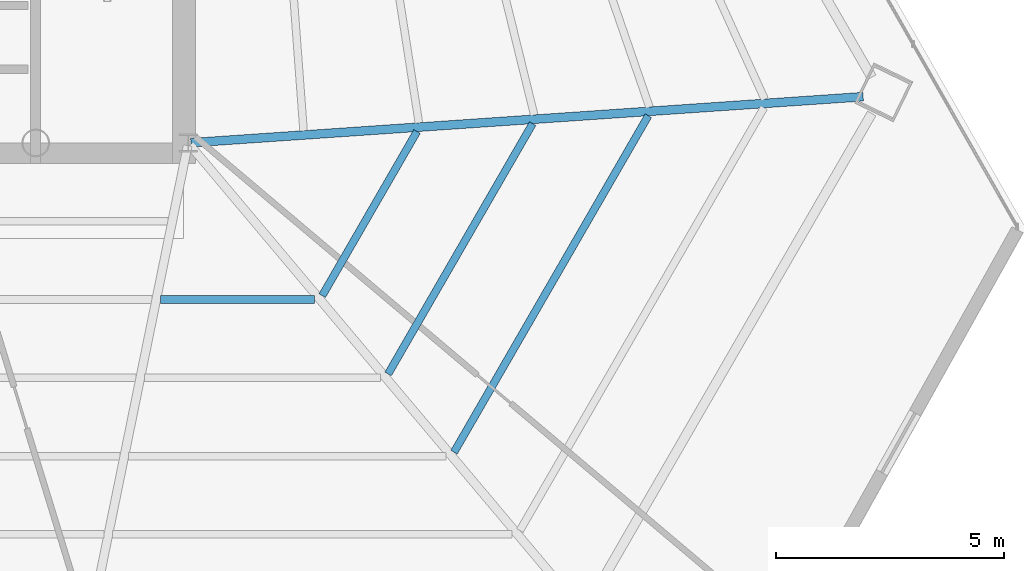
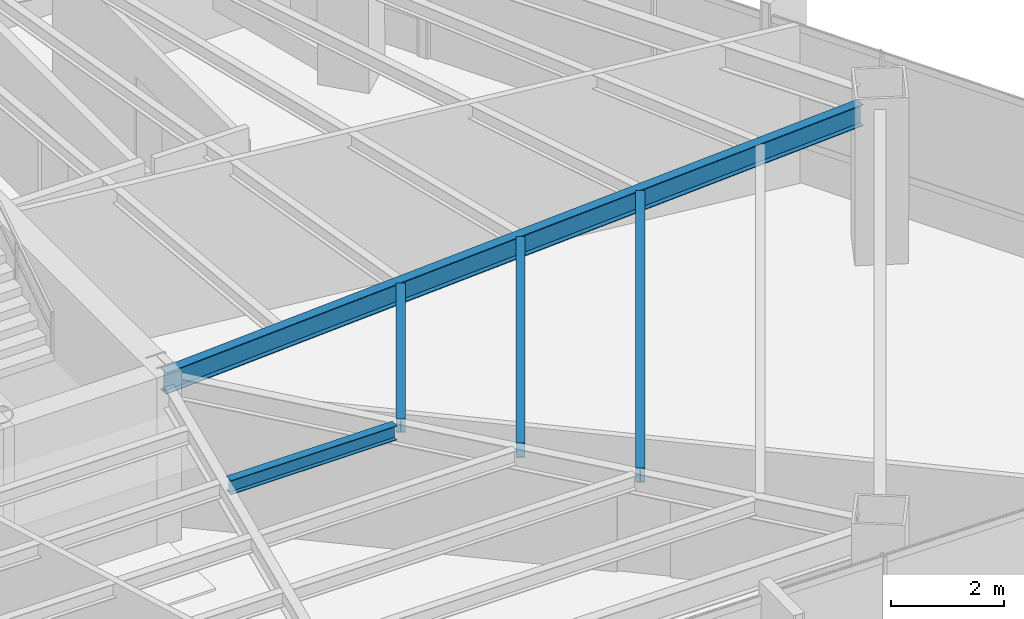
# One storey, part 20 of 39: 5 beams.
"""IFC4 building model written with IfcOpenShell, lengths in metres."""

from ifc_helpers import new_model, si_unit, direction, frame, origin, origin_2d, place, context, subcontext, project, spatial, i_section, extrude, source, transform, mapped, material, material_profile, profile_set, type_object, type_shapes, element, save


model = new_model("IFC4")

# Units and contexts
model_context = context("Model", 3, precision=1e-05, world=origin(), true_north=direction((0.0, 1.0)))
body_context = subcontext(model_context, "Body", "Model", "MODEL_VIEW")
ifc_project = project(units=[si_unit("LENGTHUNIT", "METRE"), si_unit("AREAUNIT", "SQUARE_METRE"), si_unit("VOLUMEUNIT", "CUBIC_METRE"), si_unit("PLANEANGLEUNIT", "RADIAN"), si_unit("MASSUNIT", "GRAM", prefix="KILO")], contexts=[model_context])

# Site, building, storey
site_placement = place(None, origin())
site = spatial("IfcSite", under=ifc_project, at=site_placement, CompositionType="ELEMENT")
building_placement = place(site_placement, origin())
building = spatial("IfcBuilding", under=site, at=building_placement, Name="Caelisora Broadcast Tower", CompositionType="ELEMENT")
storey_placement = place(building_placement, frame((0.0, 0.0, 139.10009765625)))
storey = spatial("IfcBuildingStorey", under=building, at=storey_placement, Name="L36", CompositionType="ELEMENT", Elevation=139.10009765625)

# Beams
ifc_material = material(Name="Steel Grade 350 (AS/NZS 3679.1)", Category="steel")
ifc_material_profile_1 = material_profile(ifc_material, i_section(OverallWidth=0.19091796875, OverallDepth=0.46044921875, WebThickness=0.010009765625, FlangeThickness=0.01611328125, at=origin_2d()), Name="Steel Grade 350 (AS/NZS 3679.1)")
ifc_profile_set_1 = profile_set([ifc_material_profile_1], Name="Steel Grade 350 (AS/NZS 3679.1)")
beam_type_1 = type_object("IfcBeamType", Name="PG06", PredefinedType="BEAM", material=ifc_profile_set_1)
shared_shape_1 = source(origin(), body_context, "Body", "SweptSolid", [
    extrude(i_section(OverallWidth=0.19091796875, OverallDepth=0.46044921875, WebThickness=0.010009765625, FlangeThickness=0.01611328125, at=origin_2d()), origin(), (0.0, 0.0, 1.0), 14.7998046875),
])
type_shapes(beam_type_1, [shared_shape_1])
beam_1_placement = place(storey_placement, frame((45.559814453125, 17.404052734375, 3.169677734375), z_axis=(0.99766068532, 0.068360492741, 0.0), x_axis=(-0.068360492741, 0.99766068532, 0.0)))
element("IfcBeam", 1, at=beam_1_placement, inside=storey, type_object=beam_type_1, Name="L36 beam PG06", PredefinedType="BEAM", context=body_context, shape_type="MappedRepresentation", body=[
    mapped(shared_shape_1, transform((0.0, 0.0, 0.0), scale=1.0)),
])
ifc_material_profile_2 = material_profile(ifc_material, i_section(OverallWidth=0.166015625, OverallDepth=0.30712890625, WebThickness=0.006591796875, FlangeThickness=0.01171875, at=origin_2d()), Name="Steel Grade 350 (AS/NZS 3679.1)")
ifc_profile_set_2 = profile_set([ifc_material_profile_2], Name="Steel Grade 350 (AS/NZS 3679.1)")
beam_type_2 = type_object("IfcBeamType", Name="SB03", PredefinedType="JOIST", material=ifc_profile_set_2)
shared_shape_2 = source(origin(), body_context, "Body", "SweptSolid", [
    extrude(i_section(OverallWidth=0.166015625, OverallDepth=0.30712890625, WebThickness=0.006591796875, FlangeThickness=0.01171875, at=origin_2d()), origin(), (0.0, 0.0, 1.0), 4.163330078125),
])
beam_2_placement = place(storey_placement, frame((48.443603515625, 14.045654296875, 3.246337890625), z_axis=(0.500030400183, 0.866007851519, 0.0), x_axis=(-0.866007851519, 0.500030400183, 0.0)))
element("IfcBeam", 2, at=beam_2_placement, inside=storey, type_object=beam_type_2, Name="L36 beam SB03", PredefinedType="JOIST", context=body_context, shape_type="MappedRepresentation", body=[
    mapped(shared_shape_2, transform((0.0, 0.0, 0.0), scale=1.0)),
])
shared_shape_3 = source(origin(), body_context, "Body", "SweptSolid", [
    extrude(i_section(OverallWidth=0.166015625, OverallDepth=0.30712890625, WebThickness=0.006591796875, FlangeThickness=0.01171875, at=origin_2d()), origin(), (0.0, 0.0, 1.0), 6.350341796875),
])
beam_3_placement = place(storey_placement, frame((49.890869140625, 12.32568359375, 3.246337890625), z_axis=(0.499988692146, 0.866031932279, 0.0), x_axis=(-0.866031932279, 0.499988692146, 0.0)))
element("IfcBeam", 3, at=beam_3_placement, inside=storey, type_object=beam_type_2, Name="L36 beam SB03", PredefinedType="JOIST", context=body_context, shape_type="MappedRepresentation", body=[
    mapped(shared_shape_3, transform((0.0, 0.0, 0.0), scale=1.0)),
])
shared_shape_4 = source(origin(), body_context, "Body", "SweptSolid", [
    extrude(i_section(OverallWidth=0.166015625, OverallDepth=0.30712890625, WebThickness=0.006591796875, FlangeThickness=0.01171875, at=origin_2d()), origin(), (0.0, 0.0, 1.0), 8.537109375),
])
beam_4_placement = place(storey_placement, frame((51.338134765625, 10.60595703125, 3.246337890625), z_axis=(0.500002183393, 0.866024143198, 0.0), x_axis=(-0.866024143198, 0.500002183393, 0.0)))
element("IfcBeam", 4, at=beam_4_placement, inside=storey, type_object=beam_type_2, Name="L36 beam SB03", PredefinedType="JOIST", context=body_context, shape_type="MappedRepresentation", body=[
    mapped(shared_shape_4, transform((0.0, 0.0, 0.0), scale=1.0)),
])
shared_shape_5 = source(origin(), body_context, "Body", "SweptSolid", [
    extrude(i_section(OverallWidth=0.166015625, OverallDepth=0.30712890625, WebThickness=0.006591796875, FlangeThickness=0.01171875, at=origin_2d()), origin(), (0.0, 0.0, 1.0), 3.380126953125),
])
type_shapes(beam_type_2, [shared_shape_2, shared_shape_3, shared_shape_4, shared_shape_5])
beam_5_placement = place(storey_placement, frame((44.892578125, 13.960205078125, 3.246337890625), z_axis=(1.0, 0.0, 0.0), x_axis=(0.0, 1.0, 0.0)))
element("IfcBeam", 5, at=beam_5_placement, inside=storey, type_object=beam_type_2, Name="L36 beam SB03", PredefinedType="JOIST", context=body_context, shape_type="MappedRepresentation", body=[
    mapped(shared_shape_5, transform((0.0, 0.0, 0.0), scale=1.0)),
])

save(model, "model.ifc")
